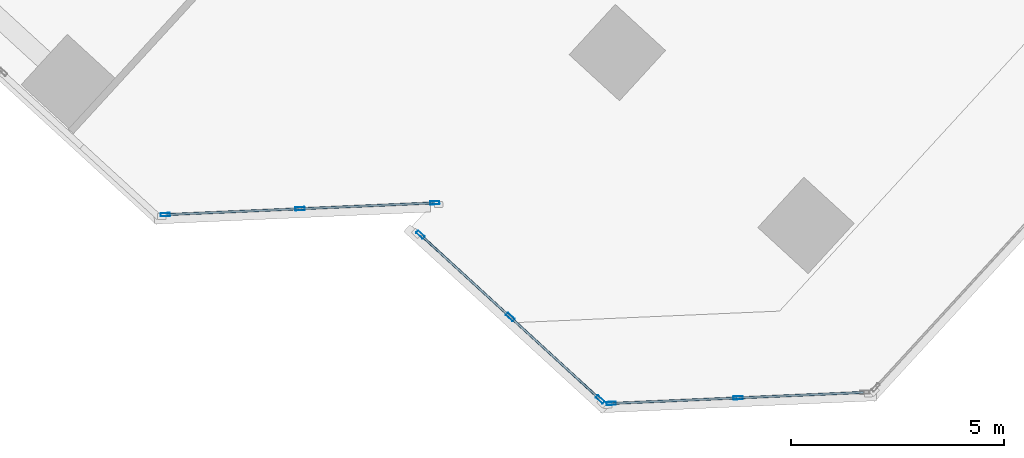
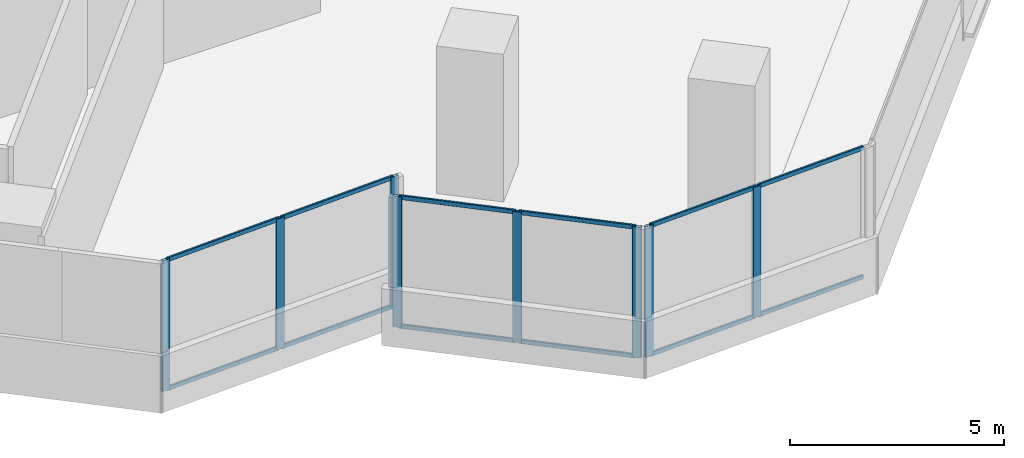
# One storey, part 3 of 18: 20 members, 3 elements without a shape of their own.
"""IFC4 building model written with IfcOpenShell, lengths in metres."""

from ifc_helpers import new_model, si_unit, direction, frame, origin, origin_2d, place, context, subcontext, project, spatial, hollow_rectangle, extrude, source, transform, mapped, material, material_profile, profile_set, type_object, element, aggregate, save


model = new_model("IFC4")

# Units and contexts
model_context = context("Model", 3, precision=1e-05, world=origin(), true_north=direction((0.0, 1.0)))
body_context = subcontext(model_context, "Body", "Model", "MODEL_VIEW")
ifc_project = project(units=[si_unit("LENGTHUNIT", "METRE"), si_unit("AREAUNIT", "SQUARE_METRE"), si_unit("VOLUMEUNIT", "CUBIC_METRE"), si_unit("PLANEANGLEUNIT", "RADIAN"), si_unit("MASSUNIT", "GRAM", prefix="KILO")], contexts=[model_context])

# Site, building, storey
site_placement = place(None, origin())
site = spatial("IfcSite", under=ifc_project, at=site_placement, CompositionType="ELEMENT")
building_placement = place(site_placement, origin())
building = spatial("IfcBuilding", under=site, at=building_placement, Name="Torre Montelarca", CompositionType="ELEMENT")
storey_placement = place(building_placement, frame((0.0, 0.0, 237.39990234375)))
storey = spatial("IfcBuildingStorey", under=building, at=storey_placement, Name="L53", CompositionType="ELEMENT", Elevation=237.39990234375)

# Curtain wall, members
ifc_material_1 = material(Name="Insulated low-E laminated glass", Category="glass")
curtain_wall_type = type_object("IfcCurtainWallType", Name="CW-SYS-Z3", PredefinedType="USERDEFINED", material=ifc_material_1)
curtain_wall_1_placement = place(storey_placement, origin())
curtain_wall_1 = element("IfcCurtainWall", 1, at=curtain_wall_1_placement, inside=storey, type_object=curtain_wall_type, Name="L53 Curtain Wall Run CW-T3-L53-E02-B1", ObjectType="UNITISED GLAZING", PredefinedType="USERDEFINED")
ifc_material_2 = material(Name="Anodised aluminium AA 6063-T6", Category="aluminium")
ifc_material_profile_1 = material_profile(ifc_material_2, hollow_rectangle(XDim=0.054931640625, YDim=0.1201171875, WallThickness=0.00341796875, InnerFilletRadius=0.00341796875, OuterFilletRadius=0.007080078125, at=origin_2d()), Name="ALU55X120X3.5", Category="aluminium")
ifc_profile_set_1 = profile_set([ifc_material_profile_1], Name="Anodised aluminium AA 6063-T6")
member_type_1 = type_object("IfcMemberType", Name="CWT-ALU120", PredefinedType="USERDEFINED", material=ifc_profile_set_1)
shared_shape_1 = source(origin(), body_context, "Body", "SweptSolid", [
    extrude(hollow_rectangle(XDim=0.054931640625, YDim=0.1201171875, WallThickness=0.00341796875, InnerFilletRadius=0.00341796875, OuterFilletRadius=0.007080078125, at=origin_2d()), origin(), (0.0, 0.0, 1.0), 3.08740234375),
])
member_1_placement = place(storey_placement, frame((16.22216796875, 12.506591796875, 0.027587890625), z_axis=(0.999050330567, 0.043571056842, 0.0), x_axis=(-0.043571056842, 0.999050330567, 0.0)))
member_1 = element("IfcMember", 2, at=member_1_placement, type_object=member_type_1, Name="CW transom 1.1", ObjectType="TRANSOM", PredefinedType="USERDEFINED", context=body_context, shape_type="MappedRepresentation", body=[
    mapped(shared_shape_1, transform((0.0, 0.0, 0.0), scale=1.0)),
])
member_2_placement = place(storey_placement, frame((16.22216796875, 12.506591796875, 3.692626953125), z_axis=(0.999050330567, 0.043571056842, 0.0), x_axis=(-0.043571056842, 0.999050330567, 0.0)))
member_2 = element("IfcMember", 3, at=member_2_placement, type_object=member_type_1, Name="CW transom 1.2", ObjectType="TRANSOM", PredefinedType="USERDEFINED", context=body_context, shape_type="MappedRepresentation", body=[
    mapped(shared_shape_1, transform((0.0, 0.0, 0.0), scale=1.0)),
])
member_3_placement = place(storey_placement, frame((19.381591796875, 12.64453125, 0.027587890625), z_axis=(0.999050330567, 0.043571056842, 0.0), x_axis=(-0.043571056842, 0.999050330567, 0.0)))
member_3 = element("IfcMember", 4, at=member_3_placement, type_object=member_type_1, Name="CW transom 2.1", ObjectType="TRANSOM", PredefinedType="USERDEFINED", context=body_context, shape_type="MappedRepresentation", body=[
    mapped(shared_shape_1, transform((0.0, 0.0, 0.0), scale=1.0)),
])
member_4_placement = place(storey_placement, frame((19.381591796875, 12.64453125, 3.692626953125), z_axis=(0.999050330567, 0.043571056842, 0.0), x_axis=(-0.043571056842, 0.999050330567, 0.0)))
member_4 = element("IfcMember", 5, at=member_4_placement, type_object=member_type_1, Name="CW transom 2.2", ObjectType="TRANSOM", PredefinedType="USERDEFINED", context=body_context, shape_type="MappedRepresentation", body=[
    mapped(shared_shape_1, transform((0.0, 0.0, 0.0), scale=1.0)),
])

curtain_wall_2_placement = place(storey_placement, origin())
curtain_wall_2 = element("IfcCurtainWall", 6, at=curtain_wall_2_placement, inside=storey, type_object=curtain_wall_type, Name="L53 Curtain Wall Run CW-T3-L53-E05-B1", ObjectType="UNITISED GLAZING", PredefinedType="USERDEFINED")
shared_shape_2 = source(origin(), body_context, "Body", "SweptSolid", [
    extrude(hollow_rectangle(XDim=0.054931640625, YDim=0.1201171875, WallThickness=0.00341796875, InnerFilletRadius=0.00341796875, OuterFilletRadius=0.007080078125, at=origin_2d()), origin(), (0.0, 0.0, 1.0), 2.903564453125),
])
member_5_placement = place(storey_placement, frame((26.67822265625, 8.079345703125, 0.027587890625), z_axis=(0.999047412839, 0.043637906688, 0.0), x_axis=(-0.043637906688, 0.999047412839, 0.0)))
member_5 = element("IfcMember", 7, at=member_5_placement, type_object=member_type_1, Name="CW transom 1.1", ObjectType="TRANSOM", PredefinedType="USERDEFINED", context=body_context, shape_type="MappedRepresentation", body=[
    mapped(shared_shape_2, transform((0.0, 0.0, 0.0), scale=1.0)),
])
member_6_placement = place(storey_placement, frame((26.67822265625, 8.079345703125, 3.692626953125), z_axis=(0.999047412839, 0.043637906688, 0.0), x_axis=(-0.043637906688, 0.999047412839, 0.0)))
member_6 = element("IfcMember", 8, at=member_6_placement, type_object=member_type_1, Name="CW transom 1.2", ObjectType="TRANSOM", PredefinedType="USERDEFINED", context=body_context, shape_type="MappedRepresentation", body=[
    mapped(shared_shape_2, transform((0.0, 0.0, 0.0), scale=1.0)),
])
member_7_placement = place(storey_placement, frame((29.654052734375, 8.209228515625, 0.027587890625), z_axis=(0.999047412839, 0.043637906688, 0.0), x_axis=(-0.043637906688, 0.999047412839, 0.0)))
member_7 = element("IfcMember", 9, at=member_7_placement, type_object=member_type_1, Name="CW transom 2.1", ObjectType="TRANSOM", PredefinedType="USERDEFINED", context=body_context, shape_type="MappedRepresentation", body=[
    mapped(shared_shape_2, transform((0.0, 0.0, 0.0), scale=1.0)),
])
member_8_placement = place(storey_placement, frame((29.654052734375, 8.209228515625, 3.692626953125), z_axis=(0.999047412839, 0.043637906688, 0.0), x_axis=(-0.043637906688, 0.999047412839, 0.0)))
member_8 = element("IfcMember", 10, at=member_8_placement, type_object=member_type_1, Name="CW transom 2.2", ObjectType="TRANSOM", PredefinedType="USERDEFINED", context=body_context, shape_type="MappedRepresentation", body=[
    mapped(shared_shape_2, transform((0.0, 0.0, 0.0), scale=1.0)),
])

curtain_wall_3_placement = place(storey_placement, origin())
curtain_wall_3 = element("IfcCurtainWall", 11, at=curtain_wall_3_placement, inside=storey, type_object=curtain_wall_type, Name="L53 Curtain Wall Run CW-T3-L53-E04-B1", ObjectType="UNITISED GLAZING", PredefinedType="USERDEFINED")
shared_shape_3 = source(origin(), body_context, "Body", "SweptSolid", [
    extrude(hollow_rectangle(XDim=0.054931640625, YDim=0.1201171875, WallThickness=0.00341796875, InnerFilletRadius=0.00341796875, OuterFilletRadius=0.007080078125, at=origin_2d()), origin(), (0.0, 0.0, 1.0), 2.78369140625),
])
member_9_placement = place(storey_placement, frame((22.193603515625, 12.00927734375, 0.027587890625), z_axis=(0.737303379609, -0.675561785789, 0.0), x_axis=(0.675561785789, 0.737303379609, 0.0)))
member_9 = element("IfcMember", 12, at=member_9_placement, type_object=member_type_1, Name="CW transom 1.1", ObjectType="TRANSOM", PredefinedType="USERDEFINED", context=body_context, shape_type="MappedRepresentation", body=[
    mapped(shared_shape_3, transform((0.0, 0.0, 0.0), scale=1.0)),
])
member_10_placement = place(storey_placement, frame((22.193603515625, 12.00927734375, 3.692626953125), z_axis=(0.737303379609, -0.675561785789, 0.0), x_axis=(0.675561785789, 0.737303379609, 0.0)))
member_10 = element("IfcMember", 13, at=member_10_placement, type_object=member_type_1, Name="CW transom 1.2", ObjectType="TRANSOM", PredefinedType="USERDEFINED", context=body_context, shape_type="MappedRepresentation", body=[
    mapped(shared_shape_3, transform((0.0, 0.0, 0.0), scale=1.0)),
])
member_11_placement = place(storey_placement, frame((24.30126953125, 10.078125, 0.027587890625), z_axis=(0.737263350359, -0.675605470832, 0.0), x_axis=(0.675605470832, 0.737263350359, 0.0)))
member_11 = element("IfcMember", 14, at=member_11_placement, type_object=member_type_1, Name="CW transom 2.1", ObjectType="TRANSOM", PredefinedType="USERDEFINED", context=body_context, shape_type="MappedRepresentation", body=[
    mapped(shared_shape_3, transform((0.0, 0.0, 0.0), scale=1.0)),
])
member_12_placement = place(storey_placement, frame((24.30126953125, 10.078125, 3.692626953125), z_axis=(0.737263350359, -0.675605470832, 0.0), x_axis=(0.675605470832, 0.737263350359, 0.0)))
member_12 = element("IfcMember", 15, at=member_12_placement, type_object=member_type_1, Name="CW transom 2.2", ObjectType="TRANSOM", PredefinedType="USERDEFINED", context=body_context, shape_type="MappedRepresentation", body=[
    mapped(shared_shape_3, transform((0.0, 0.0, 0.0), scale=1.0)),
])

# Member
ifc_material_profile_2 = material_profile(ifc_material_2, hollow_rectangle(XDim=0.074951171875, YDim=0.219970703125, WallThickness=0.0048828125, InnerFilletRadius=0.0048828125, OuterFilletRadius=0.010009765625, at=origin_2d()), Name="ALU75X220X5", Category="aluminium")
ifc_profile_set_2 = profile_set([ifc_material_profile_2], Name="Anodised aluminium AA 6063-T6")
member_type_2 = type_object("IfcMemberType", Name="CWM-ALU220", PredefinedType="MULLION", material=ifc_profile_set_2)
shared_shape_4 = source(origin(), body_context, "Body", "SweptSolid", [
    extrude(hollow_rectangle(XDim=0.074951171875, YDim=0.219970703125, WallThickness=0.0048828125, InnerFilletRadius=0.0048828125, OuterFilletRadius=0.010009765625, at=origin_2d()), origin(), (0.0, 0.0, 1.0), 3.72021484375),
])
member_13_placement = place(storey_placement, frame((16.1845703125, 12.5048828125, 0.0), z_axis=(0.0, 0.0, 1.0), x_axis=(-0.043625048009, 0.999047974417, 0.0)))
member_13 = element("IfcMember", 16, at=member_13_placement, type_object=member_type_2, Name="CW mullion 1", PredefinedType="MULLION", context=body_context, shape_type="MappedRepresentation", body=[
    mapped(shared_shape_4, transform((0.0, 0.0, 0.0), scale=1.0)),
])

member_14_placement = place(storey_placement, frame((19.34423828125, 12.642822265625, 0.0), z_axis=(0.0, 0.0, 1.0), x_axis=(-0.043625048009, 0.999047974417, 0.0)))
member_14 = element("IfcMember", 17, at=member_14_placement, type_object=member_type_2, Name="CW mullion 2", PredefinedType="MULLION", context=body_context, shape_type="MappedRepresentation", body=[
    mapped(shared_shape_4, transform((0.0, 0.0, 0.0), scale=1.0)),
])

member_15_placement = place(storey_placement, frame((22.503662109375, 12.78076171875, 0.0), z_axis=(0.0, 0.0, 1.0), x_axis=(-0.043625048009, 0.999047974417, 0.0)))
member_15 = element("IfcMember", 18, at=member_15_placement, type_object=member_type_2, Name="CW mullion 3", PredefinedType="MULLION", context=body_context, shape_type="MappedRepresentation", body=[
    mapped(shared_shape_4, transform((0.0, 0.0, 0.0), scale=1.0)),
])

aggregate(curtain_wall_1, [member_13, member_14, member_15, member_1, member_2, member_3, member_4])

member_16_placement = place(storey_placement, frame((22.166015625, 12.03466796875, 0.0), z_axis=(0.0, 0.0, 1.0), x_axis=(0.675572162502, 0.737293871704, 0.0)))
member_16 = element("IfcMember", 19, at=member_16_placement, type_object=member_type_2, Name="CW mullion 1", PredefinedType="MULLION", context=body_context, shape_type="MappedRepresentation", body=[
    mapped(shared_shape_4, transform((0.0, 0.0, 0.0), scale=1.0)),
])

member_17_placement = place(storey_placement, frame((24.273681640625, 10.103515625, 0.0), z_axis=(0.0, 0.0, 1.0), x_axis=(0.675572162502, 0.737293871704, 0.0)))
member_17 = element("IfcMember", 20, at=member_17_placement, type_object=member_type_2, Name="CW mullion 2", PredefinedType="MULLION", context=body_context, shape_type="MappedRepresentation", body=[
    mapped(shared_shape_4, transform((0.0, 0.0, 0.0), scale=1.0)),
])

member_18_placement = place(storey_placement, frame((26.38134765625, 8.172119140625, 0.0), z_axis=(0.0, 0.0, 1.0), x_axis=(0.675572162502, 0.737293871704, 0.0)))
member_18 = element("IfcMember", 21, at=member_18_placement, type_object=member_type_2, Name="CW mullion 3", PredefinedType="MULLION", context=body_context, shape_type="MappedRepresentation", body=[
    mapped(shared_shape_4, transform((0.0, 0.0, 0.0), scale=1.0)),
])

aggregate(curtain_wall_3, [member_16, member_17, member_18, member_9, member_10, member_11, member_12])

member_19_placement = place(storey_placement, frame((26.640869140625, 8.07763671875, 0.0), z_axis=(0.0, 0.0, 1.0), x_axis=(-0.043615635968, 0.999048385364, 0.0)))
member_19 = element("IfcMember", 22, at=member_19_placement, type_object=member_type_2, Name="CW mullion 1", PredefinedType="MULLION", context=body_context, shape_type="MappedRepresentation", body=[
    mapped(shared_shape_4, transform((0.0, 0.0, 0.0), scale=1.0)),
])

member_20_placement = place(storey_placement, frame((29.616455078125, 8.207763671875, 0.0), z_axis=(0.0, 0.0, 1.0), x_axis=(-0.043615635968, 0.999048385364, 0.0)))
member_20 = element("IfcMember", 23, at=member_20_placement, type_object=member_type_2, Name="CW mullion 2", PredefinedType="MULLION", context=body_context, shape_type="MappedRepresentation", body=[
    mapped(shared_shape_4, transform((0.0, 0.0, 0.0), scale=1.0)),
])

aggregate(curtain_wall_2, [member_19, member_20, member_5, member_6, member_7, member_8])

save(model, "model.ifc")
